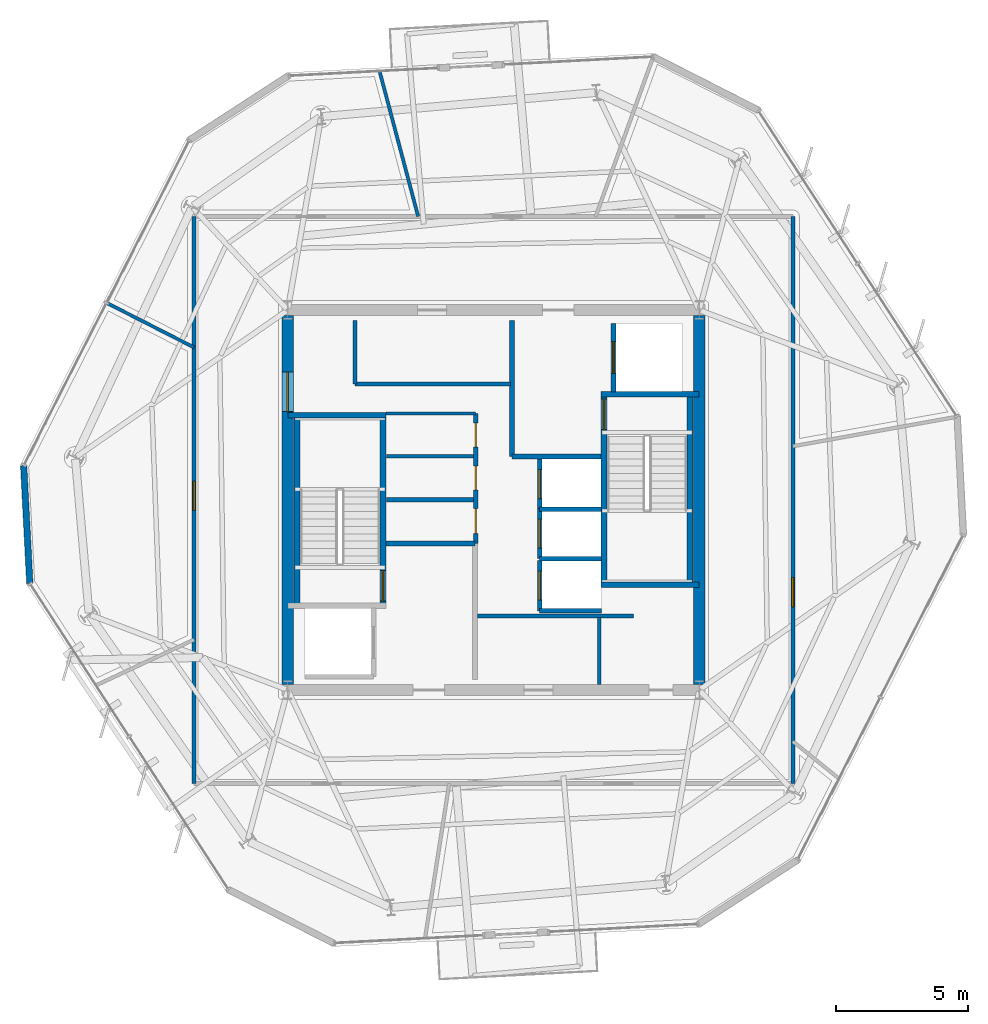
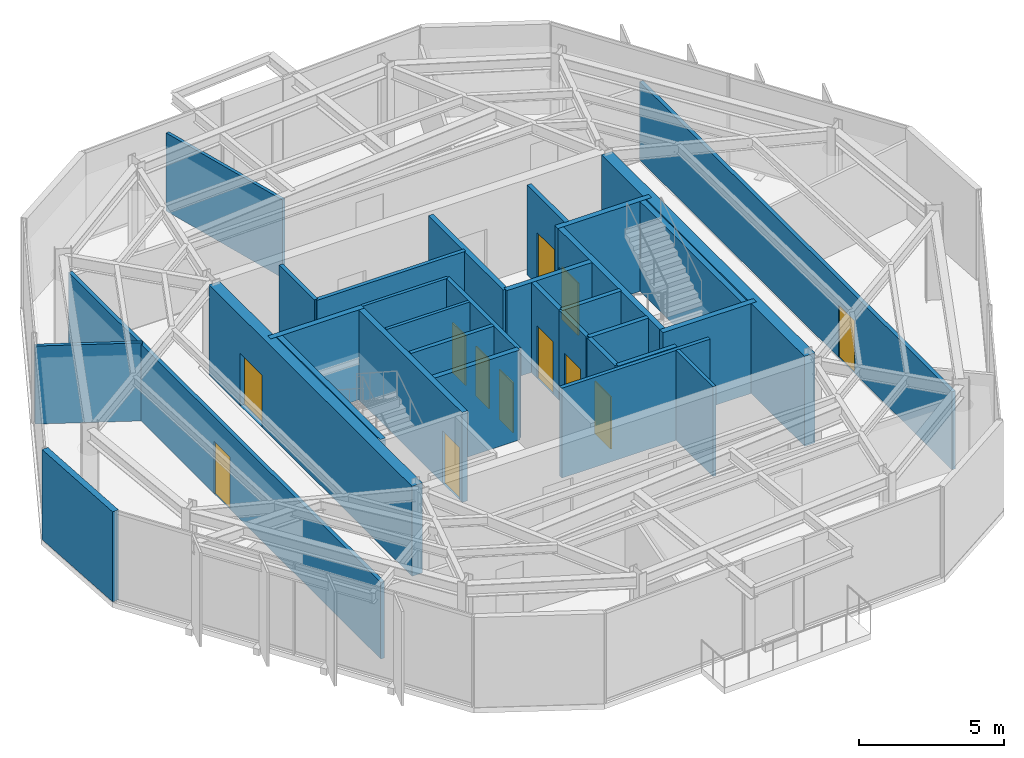
# One storey, part 6 of 11: 32 walls, 12 doors, 12 openings.
"""IFC4 building model written with IfcOpenShell, lengths in metres."""

import ifcopenshell
import ifcopenshell.guid

model = None  # the IFC model being written
_history = None  # IfcOwnerHistory: only IFC2X3 demands one
_inside = {}  # id of a spatial element -> (the spatial element, [elements in it])
_under = {}  # id of a project, library or spatial element -> (it, [spatial elements below it])
_declared = {}  # id of a project -> (the project, [libraries it declares])
_typed = {}  # id of a type object -> (the type object, [elements of that type])
_made_of = {}  # id of a material, layer set ... -> (it, [elements and type objects made of it])


def new_model(schema):
    """Start an empty IFC model of exactly this schema.

    Asked for "IFC4X3", IfcOpenShell would pick the latest addendum, in which some entities
    have other attributes; the version numbers below select the first issue.
    IFC2X3 requires an IfcOwnerHistory on every rooted entity: one is made here for all.
    """
    global model, _history
    if schema == "IFC4X3":
        model = ifcopenshell.file(schema_version=(4, 3, 0, 0))
    else:
        model = ifcopenshell.file(schema=schema)
    _inside.clear()
    _under.clear()
    _declared.clear()
    _typed.clear()
    _made_of.clear()
    _history = None
    if model.schema == "IFC2X3":
        org = make("IfcOrganization", Name="unknown")
        user = make(
            "IfcPersonAndOrganization",
            ThePerson=make("IfcPerson", FamilyName="unknown"),
            TheOrganization=org,
        )
        app = make(
            "IfcApplication",
            ApplicationDeveloper=org,
            Version="unknown",
            ApplicationFullName="unknown",
            ApplicationIdentifier="unknown",
        )
        _history = make(
            "IfcOwnerHistory",
            OwningUser=user,
            OwningApplication=app,
            ChangeAction="ADDED",
            CreationDate=0,
        )
    return model


def make(cls, **values):
    """One entity of the class cls with the attributes given. An attribute that is None is left unset."""
    return model.create_entity(
        cls, **{name: value for name, value in values.items() if value is not None}
    )


def rooted(cls, **values):
    """An entity with a GlobalId (a new one), such as an element, a storey or a relation."""
    return make(cls, GlobalId=ifcopenshell.guid.new(), OwnerHistory=_history, **values)


def si_unit(unit_type, name, prefix=None):
    """IfcSIUnit, for example si_unit("LENGTHUNIT", "METRE", prefix="MILLI")."""
    return make("IfcSIUnit", UnitType=unit_type, Prefix=prefix, Name=name)


def assignment(units):
    """IfcUnitAssignment: the units of a project."""
    return None if units is None else make("IfcUnitAssignment", Units=units)


def point(xyz):
    """IfcCartesianPoint."""
    return None if xyz is None else make("IfcCartesianPoint", Coordinates=xyz)


def direction(xyz):
    """IfcDirection."""
    return None if xyz is None else make("IfcDirection", DirectionRatios=xyz)


def frame(location, z_axis=None, x_axis=None):
    """IfcAxis2Placement3D, a coordinate frame: its origin and axes. An axis left out is left unset."""
    return make(
        "IfcAxis2Placement3D",
        Location=point(location),
        Axis=direction(z_axis),
        RefDirection=direction(x_axis),
    )


def frame_2d(location, x_axis=None):
    """IfcAxis2Placement2D, a coordinate frame in the plane: its origin and x axis."""
    return make(
        "IfcAxis2Placement2D", Location=point(location), RefDirection=direction(x_axis)
    )


def origin():
    """The frame at (0, 0, 0) with its axes left unset."""
    return frame((0.0, 0.0, 0.0))


def place(relative_to, where):
    """IfcLocalPlacement: puts the frame where relative to a parent placement (None: the world)."""
    return make(
        "IfcLocalPlacement", PlacementRelTo=relative_to, RelativePlacement=where
    )


def context(
    kind, dimensions, precision=None, world=None, true_north=None, identifier=None
):
    """IfcGeometricRepresentationContext, for example the 3D "Model" context."""
    return make(
        "IfcGeometricRepresentationContext",
        ContextIdentifier=identifier,
        ContextType=kind,
        CoordinateSpaceDimension=dimensions,
        Precision=precision,
        WorldCoordinateSystem=world,
        TrueNorth=true_north,
    )


def subcontext(parent, identifier, kind, view, scale=None):
    """IfcGeometricRepresentationSubContext, for example "Body" below "Model"."""
    return make(
        "IfcGeometricRepresentationSubContext",
        ContextIdentifier=identifier,
        ContextType=kind,
        ParentContext=parent,
        TargetScale=scale,
        TargetView=view,
    )


def project(units=None, contexts=None):
    """IfcProject with its units and contexts."""
    return rooted(
        "IfcProject",
        Name="project",
        RepresentationContexts=contexts,
        UnitsInContext=assignment(units),
    )


def spatial(cls, under=None, at=None, **own):
    """A site, building, storey or space (cls), placed at a placement, below another one or the project."""
    s = rooted(cls, ObjectPlacement=at, **own)
    if under is not None:
        _under.setdefault(under.id(), (under, []))[1].append(s)
    return s


def profile(cls, at=None, kind="AREA", **sizes):
    """A parametric profile (cls). Its sizes go by their IFC names, for example OverallWidth=200.0."""
    return make(cls, ProfileType=kind, Position=at, **sizes)


def rectangle(**sizes):
    """IfcRectangleProfileDef."""
    return profile("IfcRectangleProfileDef", **sizes)


def extrude(swept, where, along, depth):
    """IfcExtrudedAreaSolid: the profile swept, set in the frame where, extruded along a direction by depth."""
    return make(
        "IfcExtrudedAreaSolid",
        SweptArea=swept,
        Position=where,
        ExtrudedDirection=direction(along),
        Depth=depth,
    )


def shape(context_of_items, identifier, shape_type, items):
    """IfcShapeRepresentation: the items that make up one representation, for example the "Body"."""
    return make(
        "IfcShapeRepresentation",
        ContextOfItems=context_of_items,
        RepresentationIdentifier=identifier,
        RepresentationType=shape_type,
        Items=items,
    )


def material(Name=None, Category=None):
    """IfcMaterial."""
    return make("IfcMaterial", Name=Name, Category=Category)


def layer(
    of_material, thickness, ventilated=None, Name=None, Category=None, Priority=None
):
    """IfcMaterialLayer: one layer of a wall or slab, of a material (None: an air gap)."""
    return make(
        "IfcMaterialLayer",
        Material=of_material,
        LayerThickness=thickness,
        IsVentilated=ventilated,
        Name=Name,
        Category=Category,
        Priority=Priority,
    )


def layer_set(layers, Name=None):
    """IfcMaterialLayerSet."""
    return make("IfcMaterialLayerSet", MaterialLayers=layers, LayerSetName=Name)


def made_of(thing, what):
    """Note that an element or type object is made of a material, layer set ...; save() writes the relation."""
    if what is not None:
        _made_of.setdefault(what.id(), (what, []))[1].append(thing)
    return thing


def type_object(cls, material=None, **own):
    """A type object (cls), such as IfcWallType, which elements share."""
    return made_of(rooted(cls, **own), material)


def element(
    cls,
    number,
    at=None,
    inside=None,
    cuts=None,
    type_object=None,
    material=None,
    context=None,
    identifier="Body",
    shape_type=None,
    held_by="IfcProductDefinitionShape",
    body=None,
    shapes=None,
    **own,
):
    """One element of the class cls, such as IfcWall. Its Tag is "e" and its number.

    at: its placement. inside: the storey or other place that contains it. cuts: it is an
    opening in that element (IfcRelVoidsElement). A single representation is given by context,
    identifier, shape_type and body (its items); several are given by shapes. held_by: the class
    of the entity that holds the representations. save() writes the other relations.
    """
    e = rooted(cls, Tag="e%d" % number, ObjectPlacement=at, **own)
    if body is not None:
        shapes = [shape(context, identifier, shape_type, body)]
    if shapes is not None:
        e.Representation = make(held_by, Representations=shapes)
    if inside is not None:
        _inside.setdefault(inside.id(), (inside, []))[1].append(e)
    if cuts is not None:
        rooted(
            "IfcRelVoidsElement", RelatingBuildingElement=cuts, RelatedOpeningElement=e
        )
    if type_object is not None:
        _typed.setdefault(type_object.id(), (type_object, []))[1].append(e)
    return made_of(e, material)


def fill(opening, filler):
    """IfcRelFillsElement: the door or window that sits in an opening."""
    return rooted(
        "IfcRelFillsElement",
        RelatingOpeningElement=opening,
        RelatedBuildingElement=filler,
    )


def aggregate(whole, parts):
    """IfcRelAggregates: a whole, such as a stair, and the parts it consists of."""
    return rooted("IfcRelAggregates", RelatingObject=whole, RelatedObjects=parts)


def save(model, path):
    """Write the relations noted so far, then the file.

    IfcRelAggregates (storeys below a building ...), IfcRelContainedInSpatialStructure (elements
    in a storey), IfcRelDefinesByType, IfcRelAssociatesMaterial and IfcRelDeclares: one each for
    every whole, place, type object, material and project.
    """
    for whole, parts in _under.values():
        aggregate(whole, parts)
    for where, things in _inside.values():
        rooted(
            "IfcRelContainedInSpatialStructure",
            RelatedElements=things,
            RelatingStructure=where,
        )
    for kind, things in _typed.values():
        rooted("IfcRelDefinesByType", RelatedObjects=things, RelatingType=kind)
    for what, things in _made_of.values():
        rooted("IfcRelAssociatesMaterial", RelatedObjects=things, RelatingMaterial=what)
    for by, libraries in _declared.values():
        rooted("IfcRelDeclares", RelatingContext=by, RelatedDefinitions=libraries)
    model.write(path)


model = new_model("IFC4")

# Units and contexts
model_context = context("Model", 3, precision=1e-05, world=origin(), true_north=direction((0.0, 1.0)))
body_context = subcontext(model_context, "Body", "Model", "MODEL_VIEW")
ifc_project = project(units=[si_unit("LENGTHUNIT", "METRE"), si_unit("AREAUNIT", "SQUARE_METRE"), si_unit("VOLUMEUNIT", "CUBIC_METRE"), si_unit("PLANEANGLEUNIT", "RADIAN"), si_unit("MASSUNIT", "GRAM", prefix="KILO")], contexts=[model_context])

# Site, building, storey
site_placement = place(None, origin())
site = spatial("IfcSite", under=ifc_project, at=site_placement, CompositionType="ELEMENT")
building_placement = place(site_placement, origin())
building = spatial("IfcBuilding", under=site, at=building_placement, Name="Kranzbogen Civic Tower", CompositionType="ELEMENT")
storey_placement = place(building_placement, frame((0.0, 0.0, 278.199951171875)))
storey = spatial("IfcBuildingStorey", under=building, at=storey_placement, Name="L67", CompositionType="ELEMENT", Elevation=278.199951171875)

# Walls
ifc_material_1 = material(Name="Double-Stud Acoustic Gypsum Partition")
ifc_layer_1 = layer(ifc_material_1, 0.14990234375, Name="Double-Stud Acoustic Gypsum Partition")
ifc_layer_set_1 = layer_set([ifc_layer_1], Name="Double-Stud Acoustic Gypsum Partition")
wall_type_1 = type_object("IfcWallType", Name="Acoustic Corridor and Clinical Partition 150 mm", PredefinedType="PARTITIONING", material=ifc_layer_set_1)
wall_1_placement = place(storey_placement, frame((24.39990234375, 20.610107421875, 0.0), z_axis=(0.0, 0.0, 1.0), x_axis=(1.0, 0.0, 0.0)))
element("IfcWall", 1, at=wall_1_placement, inside=storey, type_object=wall_type_1, Name="L67 records zone North wall", PredefinedType="PARTITIONING", context=body_context, shape_type="SweptSolid", body=[
    extrude(rectangle(XDim=5.900146484375, YDim=0.14990234375, at=frame_2d((2.9501953125, 0.0))), origin(), (0.0, 0.0, 1.0), 3.780029296875),
])
wall_2_placement = place(storey_placement, frame((19.75, 29.389892578125, 0.0), z_axis=(0.0, 0.0, 1.0), x_axis=(1.0, 0.0, 0.0)))
element("IfcWall", 2, at=wall_2_placement, inside=storey, type_object=wall_type_1, Name="L67 digital comms South wall", PredefinedType="PARTITIONING", context=body_context, shape_type="SweptSolid", body=[
    extrude(rectangle(XDim=5.89990234375, YDim=0.14990234375, at=frame_2d((2.949951171875, 0.0))), origin(), (0.0, 0.0, 1.0), 3.780029296875),
])
wall_3_placement = place(storey_placement, frame((19.75, 29.389892578125, 0.0), z_axis=(0.0, 0.0, 1.0), x_axis=(0.0, 1.0, 0.0)))
element("IfcWall", 3, at=wall_3_placement, inside=storey, type_object=wall_type_1, Name="L67 digital comms West wall", PredefinedType="PARTITIONING", context=body_context, shape_type="SweptSolid", body=[
    extrude(rectangle(XDim=2.41015625, YDim=0.14990234375, at=frame_2d((1.205078125, 0.0))), origin(), (0.0, 0.0, 1.0), 3.780029296875),
])

# Wall, opening, door
wall_4_placement = place(storey_placement, frame((36.35009765625, 35.75, 0.0), z_axis=(0.0, 0.0, 1.0), x_axis=(0.0, -1.0, 0.0)))
wall_4 = element("IfcWall", 4, at=wall_4_placement, inside=storey, type_object=wall_type_1, Name="L67 corridor partition 02", PredefinedType="PARTITIONING", context=body_context, shape_type="SweptSolid", body=[
    extrude(rectangle(XDim=21.5, YDim=0.14990234375, at=frame_2d((10.75, 0.0))), origin(), (0.0, 0.0, 1.0), 3.280029296875),
])
opening_1_placement = place(wall_4_placement, frame((13.696044921875, 0.0, 0.0)))
opening_1 = element("IfcOpeningElement", 5, at=opening_1_placement, cuts=wall_4, Name="Opening D-COR60", PredefinedType="OPENING", context=body_context, shape_type="SweptSolid", body=[
    extrude(rectangle(XDim=1.10009765625, YDim=2.199951171875, at=frame_2d((0.550048828125, 1.10009765625))), frame((0.0, 0.0849609375, 0.0), z_axis=(0.0, -1.0, 0.0), x_axis=(1.0, 0.0, 0.0)), (0.0, 0.0, 1.0), 0.169921875),
])
ifc_material_2 = material(Name="Oak Timber and Fire Core", Category="wood")
door_type_1 = type_object("IfcDoorType", Name="Corridor Acoustic Fire Door 1100x2200", OperationType="NOTDEFINED", PredefinedType="DOOR", material=ifc_material_2)
door_1_placement = place(opening_1_placement, origin())
door_1 = element("IfcDoor", 6, at=door_1_placement, inside=storey, type_object=door_type_1, Name="L67 Staff Tea Pantry door", OperationType="SINGLE_SWING_LEFT", OverallHeight=2.199951171875, OverallWidth=1.10009765625, PredefinedType="DOOR", context=body_context, shape_type="SweptSolid", body=[
    extrude(rectangle(XDim=1.10009765625, YDim=2.199951171875, at=frame_2d((0.550048828125, 1.10009765625))), frame((0.0, 0.02490234375, 0.0), z_axis=(0.0, -1.0, 0.0), x_axis=(1.0, 0.0, 0.0)), (0.0, 0.0, 1.0), 0.050048828125),
])
fill(opening_1, door_1)

wall_5_placement = place(storey_placement, frame((13.64990234375, 14.25, 0.0), z_axis=(0.0, 0.0, 1.0), x_axis=(0.0, 1.0, 0.0)))
wall_5 = element("IfcWall", 7, at=wall_5_placement, inside=storey, type_object=wall_type_1, Name="L67 corridor partition 04", PredefinedType="PARTITIONING", context=body_context, shape_type="SweptSolid", body=[
    extrude(rectangle(XDim=21.5, YDim=0.14990234375, at=frame_2d((10.75, 0.0))), origin(), (0.0, 0.0, 1.0), 3.219970703125),
])
opening_2_placement = place(wall_5_placement, frame((10.35888671875, 0.0, 0.0)))
opening_2 = element("IfcOpeningElement", 8, at=opening_2_placement, cuts=wall_5, Name="Opening D-COR60", PredefinedType="OPENING", context=body_context, shape_type="SweptSolid", body=[
    extrude(rectangle(XDim=1.10009765625, YDim=2.199951171875, at=frame_2d((0.550048828125, 1.10009765625))), frame((0.0, 0.0849609375, 0.0), z_axis=(0.0, -1.0, 0.0), x_axis=(1.0, 0.0, 0.0)), (0.0, 0.0, 1.0), 0.169921875),
])
door_2_placement = place(opening_2_placement, origin())
door_2 = element("IfcDoor", 9, at=door_2_placement, inside=storey, type_object=door_type_1, Name="L67 Citizen Services Kiosk door", OperationType="SINGLE_SWING_RIGHT", OverallHeight=2.199951171875, OverallWidth=1.10009765625, PredefinedType="DOOR", context=body_context, shape_type="SweptSolid", body=[
    extrude(rectangle(XDim=1.10009765625, YDim=2.199951171875, at=frame_2d((0.550048828125, 1.10009765625))), frame((0.0, 0.02490234375, 0.0), z_axis=(0.0, -1.0, 0.0), x_axis=(1.0, 0.0, 0.0)), (0.0, 0.0, 1.0), 0.050048828125),
])
fill(opening_2, door_2)

# Walls
ifc_material_3 = material(Name="Insulated Metal-Stud Gypsum Partition")
ifc_layer_2 = layer(ifc_material_3, 0.125, Name="Insulated Metal-Stud Gypsum Partition")
ifc_layer_set_2 = layer_set([ifc_layer_2], Name="Insulated Metal-Stud Gypsum Partition")
wall_type_2 = type_object("IfcWallType", Name="Acoustic Inter-Room Partition 125 mm", PredefinedType="PARTITIONING", material=ifc_layer_set_2)
wall_6_placement = place(storey_placement, frame((20.919921875, 28.280029296875, 0.0), z_axis=(0.0, 0.0, 1.0), x_axis=(1.0, 0.0, 0.0)))
element("IfcWall", 10, at=wall_6_placement, inside=storey, type_object=wall_type_2, Name="L67 core auxiliary North wall", PredefinedType="PARTITIONING", context=body_context, shape_type="SweptSolid", body=[
    extrude(rectangle(XDim=3.405029296875, YDim=0.125, at=frame_2d((1.70263671875, 0.0))), origin(), (0.0, 0.0, 1.0), 3.780029296875),
])
wall_7_placement = place(storey_placement, frame((29.010009765625, 18.010009765625, 0.0), z_axis=(0.0, 0.0, 1.0), x_axis=(0.0, 1.0, 0.0)))
element("IfcWall", 11, at=wall_7_placement, inside=storey, type_object=wall_type_2, Name="L67 core auxiliary partition 1", PredefinedType="PARTITIONING", context=body_context, shape_type="SweptSolid", body=[
    extrude(rectangle(XDim=2.5400390625, YDim=0.125, at=frame_2d((1.27001953125, 0.0))), origin(), (0.0, 0.0, 1.0), 3.780029296875),
])
wall_8_placement = place(storey_placement, frame((20.949951171875, 26.659912109375, 0.0), z_axis=(0.0, 0.0, 1.0), x_axis=(1.0, 0.0, 0.0)))
element("IfcWall", 12, at=wall_8_placement, inside=storey, type_object=wall_type_2, Name="L67 core auxiliary partition 3", PredefinedType="PARTITIONING", context=body_context, shape_type="SweptSolid", body=[
    extrude(rectangle(XDim=3.300048828125, YDim=0.125, at=frame_2d((1.64990234375, 0.0))), origin(), (0.0, 0.0, 1.0), 3.780029296875),
])
wall_9_placement = place(storey_placement, frame((22.14306640625, 35.75, 0.0), z_axis=(0.0, 0.0, 1.0), x_axis=(-0.256710699473, 0.96648829107, 0.0)))
element("IfcWall", 13, at=wall_9_placement, inside=storey, type_object=wall_type_2, Name="L67 radial room partition 01", PredefinedType="PARTITIONING", context=body_context, shape_type="SweptSolid", body=[
    extrude(rectangle(XDim=5.683349609375, YDim=0.125, at=frame_2d((2.841796875, 0.0))), origin(), (0.0, 0.0, 1.0), 3.280029296875),
])
wall_10_placement = place(storey_placement, frame((13.64990234375, 30.782958984375, 0.0), z_axis=(0.0, 0.0, 1.0), x_axis=(-0.890937484948, 0.454125971416, 0.0)))
element("IfcWall", 14, at=wall_10_placement, inside=storey, type_object=wall_type_2, Name="L67 radial room partition 02", PredefinedType="PARTITIONING", context=body_context, shape_type="SweptSolid", body=[
    extrude(rectangle(XDim=3.70849609375, YDim=0.125, at=frame_2d((1.854248046875, 0.0))), origin(), (0.0, 0.0, 1.0), 3.280029296875),
])

# Wall, opening, door
ifc_material_4 = material(Name="Concrete C45/55", Category="concrete")
ifc_layer_3 = layer(ifc_material_4, 0.419921875, Name="Concrete C45/55")
ifc_layer_set_3 = layer_set([ifc_layer_3], Name="Concrete C45/55")
wall_type_3 = type_object("IfcWallType", Name="Central Core Shear Wall 420 mm", PredefinedType="SHEAR", material=ifc_layer_set_3)
wall_11_placement = place(storey_placement, frame((17.199951171875, 31.989990234375, 0.0), z_axis=(0.0, 0.0, 1.0), x_axis=(0.0, -1.0, 0.0)))
wall_11 = element("IfcWall", 15, at=wall_11_placement, inside=storey, type_object=wall_type_3, Name="L67 central core West shear wall", PredefinedType="SHEAR", context=body_context, shape_type="SweptSolid", body=[
    extrude(rectangle(XDim=13.97998046875, YDim=0.419921875, at=frame_2d((6.989990234375, 0.0))), origin(), (0.0, 0.0, 1.0), 3.780029296875),
])
opening_3_placement = place(wall_11_placement, frame((2.139892578125, 0.0, 0.0)))
opening_3 = element("IfcOpeningElement", 16, at=opening_3_placement, cuts=wall_11, Name="Opening D-DBL15", PredefinedType="OPENING", context=body_context, shape_type="SweptSolid", body=[
    extrude(rectangle(XDim=1.5, YDim=2.199951171875, at=frame_2d((0.75, 1.10009765625))), frame((0.0, 0.219970703125, 0.0), z_axis=(0.0, -1.0, 0.0), x_axis=(1.0, 0.0, 0.0)), (0.0, 0.0, 1.0), 0.43994140625),
])
ifc_material_5 = material(Name="Anodised Bronze and Glass", Category="glass")
door_type_2 = type_object("IfcDoorType", Name="Civic Lobby Double Door 1500x2200", OperationType="DOUBLE_DOOR_SINGLE_SWING", PredefinedType="DOOR", material=ifc_material_5)
door_3_placement = place(opening_3_placement, origin())
door_3 = element("IfcDoor", 17, at=door_3_placement, inside=storey, type_object=door_type_2, Name="L67 Central Lift Lobby West concourse door", OperationType="DOUBLE_DOOR_SINGLE_SWING", OverallHeight=2.199951171875, OverallWidth=1.5, PredefinedType="DOOR", context=body_context, shape_type="SweptSolid", body=[
    extrude(rectangle(XDim=1.5, YDim=2.199951171875, at=frame_2d((0.75, 1.10009765625))), frame((0.0, 0.02490234375, 0.0), z_axis=(0.0, -1.0, 0.0), x_axis=(1.0, 0.0, 0.0)), (0.0, 0.0, 1.0), 0.050048828125),
])
fill(opening_3, door_3)

# Wall
wall_12_placement = place(storey_placement, frame((32.800048828125, 18.010009765625, 0.0), z_axis=(0.0, 0.0, 1.0), x_axis=(0.0, 1.0, 0.0)))
element("IfcWall", 18, at=wall_12_placement, inside=storey, type_object=wall_type_3, Name="L67 central core East shear wall", PredefinedType="SHEAR", context=body_context, shape_type="SweptSolid", body=[
    extrude(rectangle(XDim=13.97998046875, YDim=0.419921875, at=frame_2d((6.989990234375, 0.0))), origin(), (0.0, 0.0, 1.0), 3.780029296875),
])

# Wall, opening, door
ifc_layer_4 = layer(ifc_material_4, 0.219970703125, Name="Concrete C45/55")
ifc_layer_set_4 = layer_set([ifc_layer_4], Name="Concrete C45/55")
wall_type_4 = type_object("IfcWallType", Name="Core Internal Stair Structural Wall 220 mm", PredefinedType="SOLIDWALL", material=ifc_layer_set_4)
wall_13_placement = place(storey_placement, frame((20.81005859375, 20.989990234375, 0.0), z_axis=(0.0, 0.0, 1.0), x_axis=(0.0, 1.0, 0.0)))
wall_13 = element("IfcWall", 19, at=wall_13_placement, inside=storey, type_object=wall_type_4, Name="L67 ST-T1 East structural stair wall", PredefinedType="SOLIDWALL", context=body_context, shape_type="SweptSolid", body=[
    extrude(rectangle(XDim=7.219970703125, YDim=0.219970703125, at=frame_2d((3.60986328125, 0.0))), origin(), (0.0, 0.0, 1.0), 3.780029296875),
])
opening_4_placement = place(wall_13_placement, frame((0.179931640625, 0.0, 0.0)))
opening_4 = element("IfcOpeningElement", 20, at=opening_4_placement, cuts=wall_13, Name="Opening D-ST90", PredefinedType="OPENING", context=body_context, shape_type="SweptSolid", body=[
    extrude(rectangle(XDim=1.14990234375, YDim=2.199951171875, at=frame_2d((0.574951171875, 1.10009765625))), frame((0.0, 0.1201171875, 0.0), z_axis=(0.0, -1.0, 0.0), x_axis=(1.0, 0.0, 0.0)), (0.0, 0.0, 1.0), 0.239990234375),
])
ifc_material_6 = material(Name="Steel S355", Category="steel")
door_type_3 = type_object("IfcDoorType", Name="Pressurized Stair and Lobby Fire Door 1150x2200", OperationType="NOTDEFINED", PredefinedType="DOOR", material=ifc_material_6)
door_4_placement = place(opening_4_placement, origin())
door_4 = element("IfcDoor", 21, at=door_4_placement, inside=storey, type_object=door_type_3, Name="L67 Stair ST-T1 fire door", OperationType="SINGLE_SWING_RIGHT", OverallHeight=2.199951171875, OverallWidth=1.14990234375, PredefinedType="DOOR", context=body_context, shape_type="SweptSolid", body=[
    extrude(rectangle(XDim=1.14990234375, YDim=2.199951171875, at=frame_2d((0.574951171875, 1.10009765625))), frame((0.0, 0.02490234375, 0.0), z_axis=(0.0, -1.0, 0.0), x_axis=(1.0, 0.0, 0.0)), (0.0, 0.0, 1.0), 0.050048828125),
])
fill(opening_4, door_4)

# Walls
wall_14_placement = place(storey_placement, frame((17.199951171875, 28.2099609375, 0.0), z_axis=(0.0, 0.0, 1.0), x_axis=(1.0, 0.0, 0.0)))
element("IfcWall", 22, at=wall_14_placement, inside=storey, type_object=wall_type_4, Name="L67 ST-T1 North structural stair wall", PredefinedType="SOLIDWALL", context=body_context, shape_type="SweptSolid", body=[
    extrude(rectangle(XDim=3.719970703125, YDim=0.219970703125, at=frame_2d((1.85986328125, 0.0))), origin(), (0.0, 0.0, 1.0), 3.780029296875),
])
wall_15_placement = place(storey_placement, frame((17.554931640625, 28.2099609375, 0.0), z_axis=(0.0, 0.0, 1.0), x_axis=(0.0, -1.0, 0.0)))
element("IfcWall", 23, at=wall_15_placement, inside=storey, type_object=wall_type_4, Name="L67 ST-T1 West structural stair wall", PredefinedType="SOLIDWALL", context=body_context, shape_type="SweptSolid", body=[
    extrude(rectangle(XDim=7.219970703125, YDim=0.219970703125, at=frame_2d((3.60986328125, 0.0))), origin(), (0.0, 0.0, 1.0), 3.780029296875),
])

# Wall, opening, door
wall_16_placement = place(storey_placement, frame((29.18994140625, 21.7900390625, 0.0), z_axis=(0.0, 0.0, 1.0), x_axis=(0.0, 1.0, 0.0)))
wall_16 = element("IfcWall", 24, at=wall_16_placement, inside=storey, type_object=wall_type_4, Name="L67 ST-T2 West structural stair wall", PredefinedType="SOLIDWALL", context=body_context, shape_type="SweptSolid", body=[
    extrude(rectangle(XDim=7.219970703125, YDim=0.219970703125, at=frame_2d((3.60986328125, 0.0))), origin(), (0.0, 0.0, 1.0), 3.780029296875),
])
opening_5_placement = place(wall_16_placement, frame((5.8798828125, 0.0, 0.0)))
opening_5 = element("IfcOpeningElement", 25, at=opening_5_placement, cuts=wall_16, Name="Opening D-ST90", PredefinedType="OPENING", context=body_context, shape_type="SweptSolid", body=[
    extrude(rectangle(XDim=1.14990234375, YDim=2.199951171875, at=frame_2d((0.574951171875, 1.10009765625))), frame((0.0, 0.1201171875, 0.0), z_axis=(0.0, -1.0, 0.0), x_axis=(1.0, 0.0, 0.0)), (0.0, 0.0, 1.0), 0.239990234375),
])
door_5_placement = place(opening_5_placement, origin())
door_5 = element("IfcDoor", 26, at=door_5_placement, inside=storey, type_object=door_type_3, Name="L67 Stair ST-T2 fire door", OperationType="SINGLE_SWING_LEFT", OverallHeight=2.199951171875, OverallWidth=1.14990234375, PredefinedType="DOOR", context=body_context, shape_type="SweptSolid", body=[
    extrude(rectangle(XDim=1.14990234375, YDim=2.199951171875, at=frame_2d((0.574951171875, 1.10009765625))), frame((0.0, 0.02490234375, 0.0), z_axis=(0.0, -1.0, 0.0), x_axis=(1.0, 0.0, 0.0)), (0.0, 0.0, 1.0), 0.050048828125),
])
fill(opening_5, door_5)

# Walls
for number, where, z_axis, x_axis, name in (
    (27, (29.080078125, 21.7900390625, 0.0), (0.0, 0.0, 1.0), (1.0, 0.0, 0.0), "L67 ST-T2 South structural stair wall"),
    (28, (29.080078125, 29.010009765625, 0.0), (0.0, 0.0, 1.0), (1.0, 0.0, 0.0), "L67 ST-T2 North structural stair wall"),
):
    element("IfcWall", number, at=place(storey_placement, frame(where, z_axis=z_axis, x_axis=x_axis)), inside=storey, type_object=wall_type_4, Name=name, PredefinedType="SOLIDWALL", context=body_context, shape_type="SweptSolid", body=[
        extrude(rectangle(XDim=3.719970703125, YDim=0.219970703125, at=frame_2d((1.85986328125, 0.0))), origin(), (0.0, 0.0, 1.0), 3.780029296875),
    ])
wall_17_placement = place(storey_placement, frame((32.445068359375, 29.010009765625, 0.0), z_axis=(0.0, 0.0, 1.0), x_axis=(0.0, -1.0, 0.0)))
element("IfcWall", 29, at=wall_17_placement, inside=storey, type_object=wall_type_4, Name="L67 ST-T2 East structural stair wall", PredefinedType="SOLIDWALL", context=body_context, shape_type="SweptSolid", body=[
    extrude(rectangle(XDim=7.219970703125, YDim=0.219970703125, at=frame_2d((3.60986328125, 0.0))), origin(), (0.0, 0.0, 1.0), 3.780029296875),
])
ifc_material_7 = material(Name="Gypsum Fireboard and Concrete Block", Category="concrete")
ifc_layer_5 = layer(ifc_material_7, 0.199951171875, Name="Gypsum Fireboard and Concrete Block")
ifc_layer_set_5 = layer_set([ifc_layer_5], Name="Gypsum Fireboard and Concrete Block")
wall_type_5 = type_object("IfcWallType", Name="Fire-Rated Exit Passageway and Stair Wall 200 mm", PredefinedType="PARTITIONING", material=ifc_layer_set_5)
wall_18_placement = place(storey_placement, frame((20.919921875, 23.35009765625, 0.0), z_axis=(0.0, 0.0, 1.0), x_axis=(1.0, 0.0, 0.0)))
element("IfcWall", 30, at=wall_18_placement, inside=storey, type_object=wall_type_5, Name="L67 West firefighting lobby North wall", PredefinedType="PARTITIONING", context=body_context, shape_type="SweptSolid", body=[
    extrude(rectangle(XDim=3.380126953125, YDim=0.199951171875, at=frame_2d((1.68994140625, 0.0))), origin(), (0.0, 0.0, 1.0), 3.780029296875),
])
wall_19_placement = place(storey_placement, frame((25.699951171875, 26.64990234375, 0.0), z_axis=(0.0, 0.0, 1.0), x_axis=(0.0, 1.0, 0.0)))
element("IfcWall", 31, at=wall_19_placement, inside=storey, type_object=wall_type_5, Name="L67 East firefighting lobby West wall", PredefinedType="PARTITIONING", context=body_context, shape_type="SweptSolid", body=[
    extrude(rectangle(XDim=5.150146484375, YDim=0.199951171875, at=frame_2d((2.5751953125, 0.0))), origin(), (0.0, 0.0, 1.0), 3.780029296875),
])
wall_20_placement = place(storey_placement, frame((25.699951171875, 26.64990234375, 0.0), z_axis=(0.0, 0.0, 1.0), x_axis=(1.0, 0.0, 0.0)))
element("IfcWall", 32, at=wall_20_placement, inside=storey, type_object=wall_type_5, Name="L67 East firefighting lobby South wall", PredefinedType="PARTITIONING", context=body_context, shape_type="SweptSolid", body=[
    extrude(rectangle(XDim=3.380126953125, YDim=0.199951171875, at=frame_2d((1.68994140625, 0.0))), origin(), (0.0, 0.0, 1.0), 3.780029296875),
])

# Wall, opening, door
ifc_material_8 = material(Name="Gypsum Fireboard Shaftliner")
ifc_layer_6 = layer(ifc_material_8, 0.175048828125, Name="Gypsum Fireboard Shaftliner")
ifc_layer_set_6 = layer_set([ifc_layer_6], Name="Gypsum Fireboard Shaftliner")
wall_type_6 = type_object("IfcWallType", Name="Fire-Rated Lift and Service Shaft Wall 175 mm", PredefinedType="PARTITIONING", material=ifc_layer_set_6)
wall_21_placement = place(storey_placement, frame((26.75, 20.800048828125, 0.0), z_axis=(0.0, 0.0, 1.0), x_axis=(0.0, 1.0, 0.0)))
wall_21 = element("IfcWall", 33, at=wall_21_placement, inside=storey, type_object=wall_type_6, Name="L67 lift HP-01 landing wall", PredefinedType="PARTITIONING", context=body_context, shape_type="SweptSolid", body=[
    extrude(rectangle(XDim=1.89990234375, YDim=0.175048828125, at=frame_2d((0.949951171875, 0.0))), origin(), (0.0, 0.0, 1.0), 3.780029296875),
])
opening_6_placement = place(wall_21_placement, frame((0.39990234375, 0.0, 0.0)))
opening_6 = element("IfcOpeningElement", 34, at=opening_6_placement, cuts=wall_21, Name="Opening LD-HP-01", PredefinedType="OPENING", context=body_context, shape_type="SweptSolid", body=[
    extrude(rectangle(XDim=1.10009765625, YDim=2.199951171875, at=frame_2d((0.550048828125, 1.10009765625))), frame((0.0, 0.09765625, 0.0), z_axis=(0.0, -1.0, 0.0), x_axis=(1.0, 0.0, 0.0)), (0.0, 0.0, 1.0), 0.195068359375),
])
ifc_material_9 = material(Name="Pale Anodised Aluminium", Category="aluminium")
door_type_4 = type_object("IfcDoorType", Name="Passenger Lift Sliding Landing Door 1100x2200", OperationType="DOUBLE_DOOR_SLIDING", PredefinedType="DOOR", material=ifc_material_9)
door_6_placement = place(opening_6_placement, origin())
door_6 = element("IfcDoor", 35, at=door_6_placement, inside=storey, type_object=door_type_4, Name="L67 lift HP-01 sliding landing door", OperationType="DOUBLE_DOOR_SLIDING", OverallHeight=2.199951171875, OverallWidth=1.10009765625, PredefinedType="DOOR", context=body_context, shape_type="SweptSolid", body=[
    extrude(rectangle(XDim=1.10009765625, YDim=2.199951171875, at=frame_2d((0.550048828125, 1.10009765625))), frame((0.0, 0.02490234375, 0.0), z_axis=(0.0, -1.0, 0.0), x_axis=(1.0, 0.0, 0.0)), (0.0, 0.0, 1.0), 0.050048828125),
])
fill(opening_6, door_6)

# Wall
wall_22_placement = place(storey_placement, frame((26.75, 20.800048828125, 0.0), z_axis=(0.0, 0.0, 1.0), x_axis=(1.0, 0.0, 0.0)))
element("IfcWall", 36, at=wall_22_placement, inside=storey, type_object=wall_type_6, Name="L67 lift HP-01 side wall", PredefinedType="PARTITIONING", context=body_context, shape_type="SweptSolid", body=[
    extrude(rectangle(XDim=2.35009765625, YDim=0.175048828125, at=frame_2d((1.175048828125, 0.0))), origin(), (0.0, 0.0, 1.0), 3.780029296875),
])

# Wall, opening, door
wall_23_placement = place(storey_placement, frame((26.75, 22.77490234375, 0.0), z_axis=(0.0, 0.0, 1.0), x_axis=(0.0, 1.0, 0.0)))
wall_23 = element("IfcWall", 37, at=wall_23_placement, inside=storey, type_object=wall_type_6, Name="L67 lift HP-02 landing wall", PredefinedType="PARTITIONING", context=body_context, shape_type="SweptSolid", body=[
    extrude(rectangle(XDim=1.900146484375, YDim=0.175048828125, at=frame_2d((0.9501953125, 0.0))), origin(), (0.0, 0.0, 1.0), 3.780029296875),
])
opening_7_placement = place(wall_23_placement, frame((0.39990234375, 0.0, 0.0)))
opening_7 = element("IfcOpeningElement", 38, at=opening_7_placement, cuts=wall_23, Name="Opening LD-HP-02", PredefinedType="OPENING", context=body_context, shape_type="SweptSolid", body=[
    extrude(rectangle(XDim=1.10009765625, YDim=2.199951171875, at=frame_2d((0.550048828125, 1.10009765625))), frame((0.0, 0.09765625, 0.0), z_axis=(0.0, -1.0, 0.0), x_axis=(1.0, 0.0, 0.0)), (0.0, 0.0, 1.0), 0.195068359375),
])
door_7_placement = place(opening_7_placement, origin())
door_7 = element("IfcDoor", 39, at=door_7_placement, inside=storey, type_object=door_type_4, Name="L67 lift HP-02 sliding landing door", OperationType="DOUBLE_DOOR_SLIDING", OverallHeight=2.199951171875, OverallWidth=1.10009765625, PredefinedType="DOOR", context=body_context, shape_type="SweptSolid", body=[
    extrude(rectangle(XDim=1.10009765625, YDim=2.199951171875, at=frame_2d((0.550048828125, 1.10009765625))), frame((0.0, 0.02490234375, 0.0), z_axis=(0.0, -1.0, 0.0), x_axis=(1.0, 0.0, 0.0)), (0.0, 0.0, 1.0), 0.050048828125),
])
fill(opening_7, door_7)

# Wall
wall_24_placement = place(storey_placement, frame((26.75, 22.77490234375, 0.0), z_axis=(0.0, 0.0, 1.0), x_axis=(1.0, 0.0, 0.0)))
element("IfcWall", 40, at=wall_24_placement, inside=storey, type_object=wall_type_6, Name="L67 lift HP-02 side wall", PredefinedType="PARTITIONING", context=body_context, shape_type="SweptSolid", body=[
    extrude(rectangle(XDim=2.35009765625, YDim=0.175048828125, at=frame_2d((1.175048828125, 0.0))), origin(), (0.0, 0.0, 1.0), 3.780029296875),
])

# Wall, opening, door
wall_25_placement = place(storey_placement, frame((26.75, 24.64990234375, 0.0), z_axis=(0.0, 0.0, 1.0), x_axis=(0.0, 1.0, 0.0)))
wall_25 = element("IfcWall", 41, at=wall_25_placement, inside=storey, type_object=wall_type_6, Name="L67 lift HP-03 landing wall", PredefinedType="PARTITIONING", context=body_context, shape_type="SweptSolid", body=[
    extrude(rectangle(XDim=1.900146484375, YDim=0.175048828125, at=frame_2d((0.9501953125, 0.0))), origin(), (0.0, 0.0, 1.0), 3.780029296875),
])
opening_8_placement = place(wall_25_placement, frame((0.39990234375, 0.0, 0.0)))
opening_8 = element("IfcOpeningElement", 42, at=opening_8_placement, cuts=wall_25, Name="Opening LD-HP-03", PredefinedType="OPENING", context=body_context, shape_type="SweptSolid", body=[
    extrude(rectangle(XDim=1.10009765625, YDim=2.199951171875, at=frame_2d((0.550048828125, 1.10009765625))), frame((0.0, 0.09765625, 0.0), z_axis=(0.0, -1.0, 0.0), x_axis=(1.0, 0.0, 0.0)), (0.0, 0.0, 1.0), 0.195068359375),
])
door_8_placement = place(opening_8_placement, origin())
door_8 = element("IfcDoor", 43, at=door_8_placement, inside=storey, type_object=door_type_4, Name="L67 lift HP-03 sliding landing door", OperationType="DOUBLE_DOOR_SLIDING", OverallHeight=2.199951171875, OverallWidth=1.10009765625, PredefinedType="DOOR", context=body_context, shape_type="SweptSolid", body=[
    extrude(rectangle(XDim=1.10009765625, YDim=2.199951171875, at=frame_2d((0.550048828125, 1.10009765625))), frame((0.0, 0.02490234375, 0.0), z_axis=(0.0, -1.0, 0.0), x_axis=(1.0, 0.0, 0.0)), (0.0, 0.0, 1.0), 0.050048828125),
])
fill(opening_8, door_8)

# Wall
wall_26_placement = place(storey_placement, frame((26.75, 24.64990234375, 0.0), z_axis=(0.0, 0.0, 1.0), x_axis=(1.0, 0.0, 0.0)))
element("IfcWall", 44, at=wall_26_placement, inside=storey, type_object=wall_type_6, Name="L67 lift HP-03 side wall", PredefinedType="PARTITIONING", context=body_context, shape_type="SweptSolid", body=[
    extrude(rectangle(XDim=2.35009765625, YDim=0.175048828125, at=frame_2d((1.175048828125, 0.0))), origin(), (0.0, 0.0, 1.0), 3.780029296875),
])

# Wall, opening, door
wall_27_placement = place(storey_placement, frame((29.550048828125, 29.10009765625, 0.0), z_axis=(0.0, 0.0, 1.0), x_axis=(0.0, 1.0, 0.0)))
wall_27 = element("IfcWall", 45, at=wall_27_placement, inside=storey, type_object=wall_type_6, Name="L67 lift FF-02 landing wall", PredefinedType="PARTITIONING", context=body_context, shape_type="SweptSolid", body=[
    extrude(rectangle(XDim=2.599853515625, YDim=0.175048828125, at=frame_2d((1.2998046875, 0.0))), origin(), (0.0, 0.0, 1.0), 3.780029296875),
])
opening_9_placement = place(wall_27_placement, frame((0.699951171875, 0.0, 0.0)))
opening_9 = element("IfcOpeningElement", 46, at=opening_9_placement, cuts=wall_27, Name="Opening LD-FF-02", PredefinedType="OPENING", context=body_context, shape_type="SweptSolid", body=[
    extrude(rectangle(XDim=1.199951171875, YDim=2.199951171875, at=frame_2d((0.60009765625, 1.10009765625))), frame((0.0, 0.09765625, 0.0), z_axis=(0.0, -1.0, 0.0), x_axis=(1.0, 0.0, 0.0)), (0.0, 0.0, 1.0), 0.195068359375),
])
door_type_5 = type_object("IfcDoorType", Name="Firefighting and Stretcher Lift Sliding Landing Door 1200x2200", OperationType="DOUBLE_DOOR_SLIDING", PredefinedType="DOOR", material=ifc_material_9)
door_9_placement = place(opening_9_placement, origin())
door_9 = element("IfcDoor", 47, at=door_9_placement, inside=storey, type_object=door_type_5, Name="L67 lift FF-02 sliding landing door", OperationType="DOUBLE_DOOR_SLIDING", OverallHeight=2.199951171875, OverallWidth=1.199951171875, PredefinedType="DOOR", context=body_context, shape_type="SweptSolid", body=[
    extrude(rectangle(XDim=1.199951171875, YDim=2.199951171875, at=frame_2d((0.60009765625, 1.10009765625))), frame((0.0, 0.02490234375, 0.0), z_axis=(0.0, -1.0, 0.0), x_axis=(1.0, 0.0, 0.0)), (0.0, 0.0, 1.0), 0.050048828125),
])
fill(opening_9, door_9)

# Wall
ifc_layer_7 = layer(ifc_material_9, 0.239990234375, Name="Pale Anodised Aluminium")
ifc_layer_set_7 = layer_set([ifc_layer_7], Name="Pale Anodised Aluminium")
wall_type_7 = type_object("IfcWallType", Name="Insulated Aluminium Facade Portal Wall 240 mm", PredefinedType="STANDARD", material=ifc_layer_set_7)
wall_28_placement = place(storey_placement, frame((7.18798828125, 26.302001953125, 0.0), z_axis=(0.0, 0.0, 1.0), x_axis=(0.052162791258, -0.998638594892, 0.0)))
element("IfcWall", 48, at=wall_28_placement, inside=storey, type_object=wall_type_7, Name="L67 chamfered corner facade spandrel 2", PredefinedType="STANDARD", context=body_context, shape_type="SweptSolid", body=[
    extrude(rectangle(XDim=4.465087890625, YDim=0.239990234375, at=frame_2d((2.232421875, 0.0))), origin(), (0.0, 0.0, 1.0), 3.780029296875),
])

# Wall, openings, doors
ifc_material_10 = material(Name="Moisture-Resistant Gypsum Assembly")
ifc_layer_8 = layer(ifc_material_10, 0.159912109375, Name="Moisture-Resistant Gypsum Assembly")
ifc_layer_set_8 = layer_set([ifc_layer_8], Name="Moisture-Resistant Gypsum Assembly")
wall_type_8 = type_object("IfcWallType", Name="Sanitary and Plumbing Wet Wall 160 mm", PredefinedType="PLUMBINGWALL", material=ifc_layer_set_8)
wall_29_placement = place(storey_placement, frame((24.324951171875, 23.35009765625, 0.0), z_axis=(0.0, 0.0, 1.0), x_axis=(0.0, 1.0, 0.0)))
wall_29 = element("IfcWall", 49, at=wall_29_placement, inside=storey, type_object=wall_type_8, Name="L67 core auxiliary East wall", PredefinedType="PLUMBINGWALL", context=body_context, shape_type="SweptSolid", body=[
    extrude(rectangle(XDim=4.929931640625, YDim=0.159912109375, at=frame_2d((2.46484375, 0.0))), origin(), (0.0, 0.0, 1.0), 3.780029296875),
])
opening_10_placement = place(wall_29_placement, frame((0.375, 0.0, 0.0)))
opening_10 = element("IfcOpeningElement", 50, at=opening_10_placement, cuts=wall_29, Name="Opening D-AWC95", PredefinedType="OPENING", context=body_context, shape_type="SweptSolid", body=[
    extrude(rectangle(XDim=0.949951171875, YDim=2.10009765625, at=frame_2d((0.47509765625, 1.050048828125))), frame((0.0, 0.08984375, 0.0), z_axis=(0.0, -1.0, 0.0), x_axis=(1.0, 0.0, 0.0)), (0.0, 0.0, 1.0), 0.179931640625),
])
opening_11_placement = place(wall_29_placement, frame((2.034912109375, 0.0, 0.0)))
opening_11 = element("IfcOpeningElement", 51, at=opening_11_placement, cuts=wall_29, Name="Opening D-WC90", PredefinedType="OPENING", context=body_context, shape_type="SweptSolid", body=[
    extrude(rectangle(XDim=0.89990234375, YDim=2.10009765625, at=frame_2d((0.449951171875, 1.050048828125))), frame((0.0, 0.08984375, 0.0), z_axis=(0.0, -1.0, 0.0), x_axis=(1.0, 0.0, 0.0)), (0.0, 0.0, 1.0), 0.179931640625),
])
opening_12_placement = place(wall_29_placement, frame((3.659912109375, 0.0, 0.0)))
opening_12 = element("IfcOpeningElement", 52, at=opening_12_placement, cuts=wall_29, Name="Opening D-WC90", PredefinedType="OPENING", context=body_context, shape_type="SweptSolid", body=[
    extrude(rectangle(XDim=0.89990234375, YDim=2.10009765625, at=frame_2d((0.449951171875, 1.050048828125))), frame((0.0, 0.08984375, 0.0), z_axis=(0.0, -1.0, 0.0), x_axis=(1.0, 0.0, 0.0)), (0.0, 0.0, 1.0), 0.179931640625),
])
ifc_material_11 = material(Name="Moisture-Resistant Laminate")
door_type_6 = type_object("IfcDoorType", Name="Accessible Restroom Door 950x2100", OperationType="NOTDEFINED", PredefinedType="DOOR", material=ifc_material_11)
door_10_placement = place(opening_10_placement, origin())
door_10 = element("IfcDoor", 53, at=door_10_placement, inside=storey, type_object=door_type_6, Name="L67 Accessible Restroom door", OperationType="SINGLE_SWING_RIGHT", OverallHeight=2.10009765625, OverallWidth=0.949951171875, PredefinedType="DOOR", context=body_context, shape_type="SweptSolid", body=[
    extrude(rectangle(XDim=0.949951171875, YDim=2.10009765625, at=frame_2d((0.47509765625, 1.050048828125))), frame((0.0, 0.02490234375, 0.0), z_axis=(0.0, -1.0, 0.0), x_axis=(1.0, 0.0, 0.0)), (0.0, 0.0, 1.0), 0.050048828125),
])
fill(opening_10, door_10)
door_type_7 = type_object("IfcDoorType", Name="Standard Restroom and Store Door 900x2100", OperationType="NOTDEFINED", PredefinedType="DOOR", material=ifc_material_11)
door_11_placement = place(opening_11_placement, origin())
door_11 = element("IfcDoor", 54, at=door_11_placement, inside=storey, type_object=door_type_7, Name="L67 Staff Restroom door", OperationType="SINGLE_SWING_LEFT", OverallHeight=2.10009765625, OverallWidth=0.89990234375, PredefinedType="DOOR", context=body_context, shape_type="SweptSolid", body=[
    extrude(rectangle(XDim=0.89990234375, YDim=2.10009765625, at=frame_2d((0.449951171875, 1.050048828125))), frame((0.0, 0.02490234375, 0.0), z_axis=(0.0, -1.0, 0.0), x_axis=(1.0, 0.0, 0.0)), (0.0, 0.0, 1.0), 0.050048828125),
])
fill(opening_11, door_11)
door_12_placement = place(opening_12_placement, origin())
door_12 = element("IfcDoor", 55, at=door_12_placement, inside=storey, type_object=door_type_7, Name="L67 Cleaner and Janitor Store door", OperationType="SINGLE_SWING_RIGHT", OverallHeight=2.10009765625, OverallWidth=0.89990234375, PredefinedType="DOOR", context=body_context, shape_type="SweptSolid", body=[
    extrude(rectangle(XDim=0.89990234375, YDim=2.10009765625, at=frame_2d((0.449951171875, 1.050048828125))), frame((0.0, 0.02490234375, 0.0), z_axis=(0.0, -1.0, 0.0), x_axis=(1.0, 0.0, 0.0)), (0.0, 0.0, 1.0), 0.050048828125),
])
fill(opening_12, door_12)

# Wall
wall_30_placement = place(storey_placement, frame((20.949951171875, 25.010009765625, 0.0), z_axis=(0.0, 0.0, 1.0), x_axis=(1.0, 0.0, 0.0)))
element("IfcWall", 56, at=wall_30_placement, inside=storey, type_object=wall_type_8, Name="L67 core auxiliary partition 2", PredefinedType="PLUMBINGWALL", context=body_context, shape_type="SweptSolid", body=[
    extrude(rectangle(XDim=3.300048828125, YDim=0.159912109375, at=frame_2d((1.64990234375, 0.0))), origin(), (0.0, 0.0, 1.0), 3.780029296875),
])

save(model, "model.ifc")
